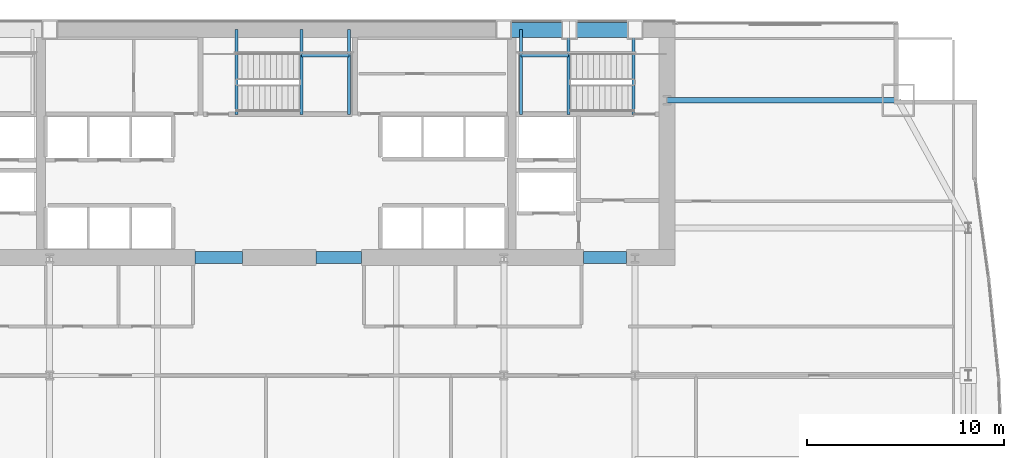
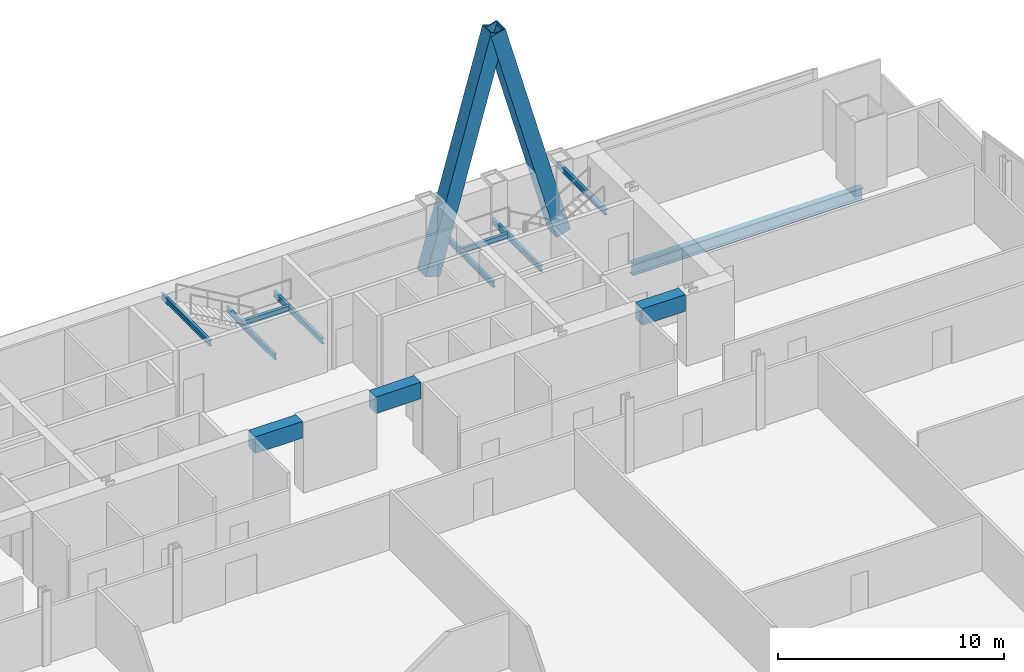
# One storey, part 19 of 35: 12 beams, 2 members.
"""IFC4 building model written with IfcOpenShell, lengths in metres."""

from ifc_helpers import new_model, si_unit, direction, frame, origin, origin_2d, place, context, subcontext, project, spatial, rectangle, hollow_rectangle, i_section, extrude, material, material_profile, profile_set, type_object, element, save


model = new_model("IFC4")

# Units and contexts
model_context = context("Model", 3, precision=1e-05, world=origin(), true_north=direction((0.0, 1.0)))
body_context = subcontext(model_context, "Body", "Model", "MODEL_VIEW")
ifc_project = project(units=[si_unit("LENGTHUNIT", "METRE"), si_unit("AREAUNIT", "SQUARE_METRE"), si_unit("VOLUMEUNIT", "CUBIC_METRE"), si_unit("PLANEANGLEUNIT", "RADIAN"), si_unit("MASSUNIT", "GRAM", prefix="KILO")], contexts=[model_context])

# Site, building, storey
site_placement = place(None, origin())
site = spatial("IfcSite", under=ifc_project, at=site_placement, CompositionType="ELEMENT")
building_placement = place(site_placement, origin())
building = spatial("IfcBuilding", under=site, at=building_placement, Name="Khoronbel Lancet Exchange", CompositionType="ELEMENT")
storey_placement = place(building_placement, frame((0.0, 0.0, 37.800048828125)))
storey = spatial("IfcBuildingStorey", under=building, at=storey_placement, Name="L08", CompositionType="ELEMENT", Elevation=37.800048828125)

# Beams
ifc_material_1 = material(Name="Steel S355", Category="steel")
ifc_material_profile_1 = material_profile(ifc_material_1, i_section(OverallWidth=0.14990234375, OverallDepth=0.300048828125, WebThickness=0.007080078125, FlangeThickness=0.0107421875, at=origin_2d()), Name="IPE 300")
ifc_profile_set_1 = profile_set([ifc_material_profile_1], Name="Steel S355")
beam_type_1 = type_object("IfcBeamType", Name="BM-BJ8", PredefinedType="JOIST", material=ifc_profile_set_1)
for number, where, z_axis, x_axis, name in (
    (1, (51.2900390625, 48.97998046875, 1.64990234375), (0.0, 1.0, 0.0), (-1.0, 0.0, 0.0), "Level L08 stair ST2 landing bearer beam 1"),
    (2, (48.8701171875, 48.97998046875, 1.64990234375), (0.0, 1.0, 0.0), (-1.0, 0.0, 0.0), "Level L08 stair ST2 rear landing bearer beam 1"),
):
    element("IfcBeam", number, at=place(storey_placement, frame(where, z_axis=z_axis, x_axis=x_axis)), inside=storey, type_object=beam_type_1, Name=name, PredefinedType="JOIST", context=body_context, shape_type="SweptSolid", body=[
        extrude(i_section(OverallWidth=0.14990234375, OverallDepth=0.300048828125, WebThickness=0.007080078125, FlangeThickness=0.0107421875, at=origin_2d()), origin(), (0.0, 0.0, 1.0), 4.320068359375),
    ])
beam_1_placement = place(storey_placement, frame((48.8701171875, 51.97998046875, 1.64990234375), z_axis=(1.0, 0.0, 0.0), x_axis=(0.0, 1.0, 0.0)))
element("IfcBeam", 3, at=beam_1_placement, inside=storey, type_object=beam_type_1, Name="Level L08 stair ST2 landing cross trimmer beam 1", PredefinedType="JOIST", context=body_context, shape_type="SweptSolid", body=[
    extrude(i_section(OverallWidth=0.14990234375, OverallDepth=0.300048828125, WebThickness=0.007080078125, FlangeThickness=0.0107421875, at=origin_2d()), origin(), (0.0, 0.0, 1.0), 2.419921875),
])
for number, where, z_axis, x_axis, name in (
    (4, (54.60009765625, 48.97998046875, 3.5400390625), (0.0, 1.0, 0.0), (-1.0, 0.0, 0.0), "Level L08 stair ST2 upper-flight arrival trimmer beam"),
    (5, (37.7099609375, 48.97998046875, 1.64990234375), (0.0, 1.0, 0.0), (-1.0, 0.0, 0.0), "Level L08 stair ST3 landing bearer beam 1"),
    (6, (40.1298828125, 48.97998046875, 1.64990234375), (0.0, 1.0, 0.0), (-1.0, 0.0, 0.0), "Level L08 stair ST3 rear landing bearer beam 1"),
):
    element("IfcBeam", number, at=place(storey_placement, frame(where, z_axis=z_axis, x_axis=x_axis)), inside=storey, type_object=beam_type_1, Name=name, PredefinedType="JOIST", context=body_context, shape_type="SweptSolid", body=[
        extrude(i_section(OverallWidth=0.14990234375, OverallDepth=0.300048828125, WebThickness=0.007080078125, FlangeThickness=0.0107421875, at=origin_2d()), origin(), (0.0, 0.0, 1.0), 4.320068359375),
    ])
beam_2_placement = place(storey_placement, frame((37.7099609375, 51.97998046875, 1.64990234375), z_axis=(1.0, 0.0, 0.0), x_axis=(0.0, 1.0, 0.0)))
element("IfcBeam", 7, at=beam_2_placement, inside=storey, type_object=beam_type_1, Name="Level L08 stair ST3 landing cross trimmer beam 1", PredefinedType="JOIST", context=body_context, shape_type="SweptSolid", body=[
    extrude(i_section(OverallWidth=0.14990234375, OverallDepth=0.300048828125, WebThickness=0.007080078125, FlangeThickness=0.0107421875, at=origin_2d()), origin(), (0.0, 0.0, 1.0), 2.419921875),
])
beam_3_placement = place(storey_placement, frame((34.39990234375, 48.97998046875, 3.5400390625), z_axis=(0.0, 1.0, 0.0), x_axis=(-1.0, 0.0, 0.0)))
element("IfcBeam", 8, at=beam_3_placement, inside=storey, type_object=beam_type_1, Name="Level L08 stair ST3 upper-flight arrival trimmer beam", PredefinedType="JOIST", context=body_context, shape_type="SweptSolid", body=[
    extrude(i_section(OverallWidth=0.14990234375, OverallDepth=0.300048828125, WebThickness=0.007080078125, FlangeThickness=0.0107421875, at=origin_2d()), origin(), (0.0, 0.0, 1.0), 4.320068359375),
])
ifc_material_2 = material(Name="Concrete C80/95", Category="concrete")
ifc_material_profile_2 = material_profile(ifc_material_2, rectangle(XDim=0.60009765625, YDim=0.89990234375, at=origin_2d()), Name="RC 600x900")
ifc_profile_set_2 = profile_set([ifc_material_profile_2], Name="Concrete C80/95")
beam_type_2 = type_object("IfcBeamType", Name="BM-BL1", PredefinedType="LINTEL", material=ifc_profile_set_2)
beam_4_placement = place(storey_placement, frame((32.300048828125, 41.699951171875, 3.369873046875), z_axis=(1.0, 0.0, 0.0), x_axis=(0.0, 1.0, 0.0)))
element("IfcBeam", 9, at=beam_4_placement, inside=storey, type_object=beam_type_2, Name="Level L08 rear core coupling lintel L2", PredefinedType="LINTEL", context=body_context, shape_type="SweptSolid", body=[
    extrude(rectangle(XDim=0.60009765625, YDim=0.89990234375, at=origin_2d()), origin(), (0.0, 0.0, 1.0), 2.39990234375),
])
beam_5_placement = place(storey_placement, frame((38.449951171875, 41.699951171875, 3.369873046875), z_axis=(1.0, 0.0, 0.0), x_axis=(0.0, 1.0, 0.0)))
element("IfcBeam", 10, at=beam_5_placement, inside=storey, type_object=beam_type_2, Name="Level L08 rear core coupling lintel L3", PredefinedType="LINTEL", context=body_context, shape_type="SweptSolid", body=[
    extrude(rectangle(XDim=0.60009765625, YDim=0.89990234375, at=origin_2d()), origin(), (0.0, 0.0, 1.0), 2.300048828125),
])
beam_6_placement = place(storey_placement, frame((52.050048828125, 41.699951171875, 3.369873046875), z_axis=(1.0, 0.0, 0.0), x_axis=(0.0, 1.0, 0.0)))
element("IfcBeam", 11, at=beam_6_placement, inside=storey, type_object=beam_type_2, Name="Level L08 rear core coupling lintel L4", PredefinedType="LINTEL", context=body_context, shape_type="SweptSolid", body=[
    extrude(rectangle(XDim=0.60009765625, YDim=0.89990234375, at=origin_2d()), origin(), (0.0, 0.0, 1.0), 2.199951171875),
])
ifc_material_profile_3 = material_profile(ifc_material_1, i_section(OverallWidth=0.300048828125, OverallDepth=0.64990234375, WebThickness=0.01611328125, FlangeThickness=0.031005859375, at=origin_2d()), Name="HEB 650")
ifc_profile_set_3 = profile_set([ifc_material_profile_3], Name="Steel S355")
beam_type_3 = type_object("IfcBeamType", Name="BM-BSP1", PredefinedType="SPANDREL", material=ifc_profile_set_3)
beam_7_placement = place(storey_placement, frame((68.050048828125, 49.699951171875, -0.505126953125), z_axis=(-1.0, 0.0, 0.0), x_axis=(0.0, -1.0, 0.0)))
element("IfcBeam", 12, at=beam_7_placement, inside=storey, type_object=beam_type_3, Name="Level L08 north flank tie spandrel SP23", PredefinedType="SPANDREL", context=body_context, shape_type="SweptSolid", body=[
    extrude(i_section(OverallWidth=0.300048828125, OverallDepth=0.64990234375, WebThickness=0.01611328125, FlangeThickness=0.031005859375, at=origin_2d()), origin(), (0.0, 0.0, 1.0), 11.75),
])

# Members
ifc_material_3 = material(Name="Steel S460", Category="steel")
ifc_material_profile_4 = material_profile(ifc_material_3, hollow_rectangle(XDim=0.760009765625, YDim=0.760009765625, WallThickness=0.054931640625, at=origin_2d()), Name="BOX 760x760x55")
ifc_profile_set_4 = profile_set([ifc_material_profile_4], Name="Steel S460")
member_type = type_object("IfcMemberType", Name="MEM-MB1", PredefinedType="BRACE", material=ifc_profile_set_4)
for number, where, z_axis, x_axis, name in (
    (13, (48.0, 53.280029296875, 0.0), (0.267947134133, 0.0, 0.963433616452), (0.0, 1.0, 0.0), "Perimeter lancet brace tier 2 N-E-L"),
    (14, (54.675048828125, 53.280029296875, 0.0), (-0.267965327822, 0.0, 0.963428556295), (0.0, -1.0, 0.0), "Perimeter lancet brace tier 2 N-E-R"),
):
    element("IfcMember", number, at=place(storey_placement, frame(where, z_axis=z_axis, x_axis=x_axis)), inside=storey, type_object=member_type, Name=name, PredefinedType="BRACE", context=body_context, shape_type="SweptSolid", body=[
        extrude(hollow_rectangle(XDim=0.760009765625, YDim=0.760009765625, WallThickness=0.054931640625, at=origin_2d()), origin(), (0.0, 0.0, 1.0), 12.45556640625),
    ])

save(model, "model.ifc")
